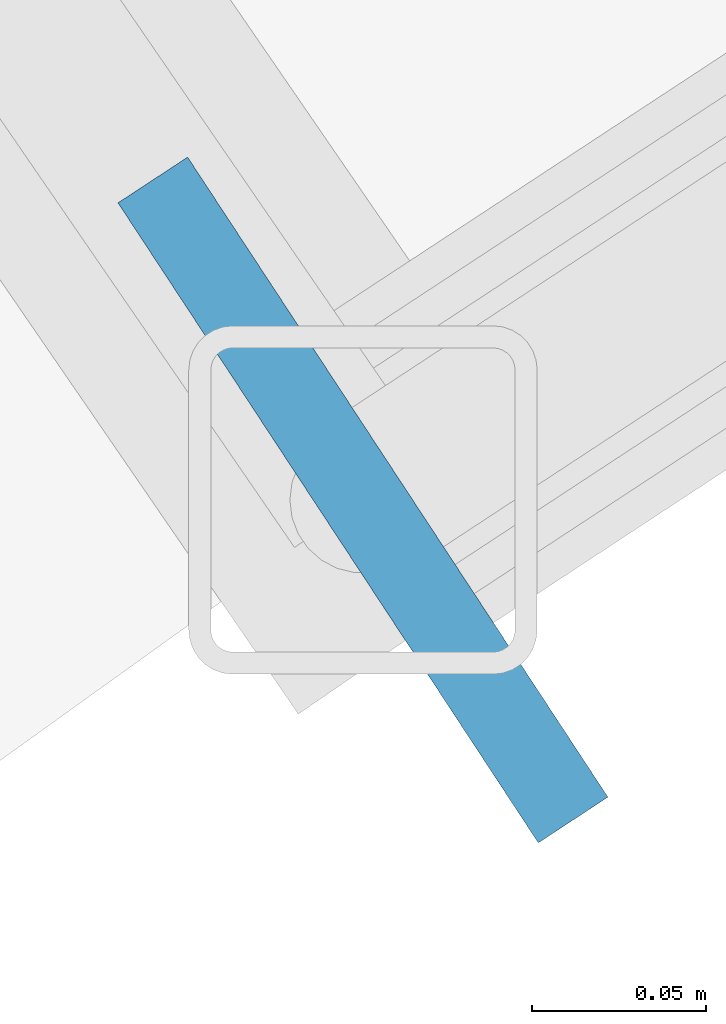
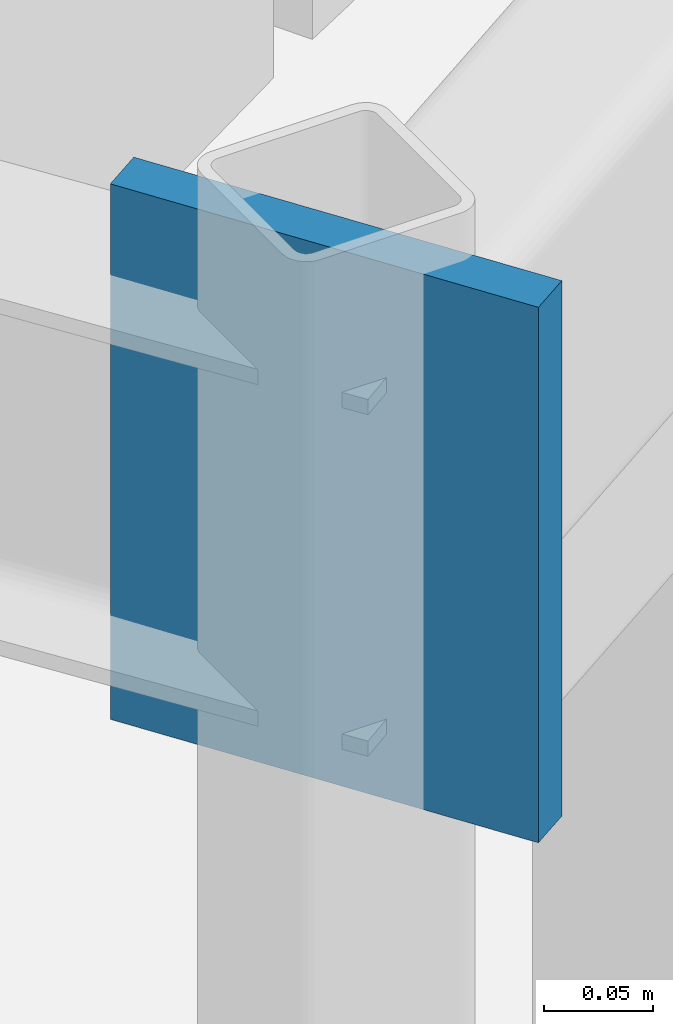
# One storey, part 84 of 137: 1 plate.
"""IFC4 building model written with IfcOpenShell, lengths in metres."""

from ifc_helpers import new_model, si_unit, direction, frame, origin, origin_2d, place, context, subcontext, project, spatial, rectangle, extrude, material, layer, layer_set, type_object, element, save


model = new_model("IFC4")

# Units and contexts
model_context = context("Model", 3, precision=1e-05, world=origin(), true_north=direction((0.0, 1.0)))
body_context = subcontext(model_context, "Body", "Model", "MODEL_VIEW")
ifc_project = project(units=[si_unit("LENGTHUNIT", "METRE"), si_unit("AREAUNIT", "SQUARE_METRE"), si_unit("VOLUMEUNIT", "CUBIC_METRE"), si_unit("PLANEANGLEUNIT", "RADIAN"), si_unit("MASSUNIT", "GRAM", prefix="KILO"), si_unit("POWERUNIT", "WATT"), si_unit("THERMODYNAMICTEMPERATUREUNIT", "KELVIN")], contexts=[model_context])

# Site, building, storey
site_placement = place(None, origin())
site = spatial("IfcSite", under=ifc_project, at=site_placement, CompositionType="ELEMENT")
building_placement = place(site_placement, origin())
building = spatial("IfcBuilding", under=site, at=building_placement, Name="Ruvembo Vaulted Housing Court", CompositionType="ELEMENT")
storey_placement = place(building_placement, frame((0.0, 0.0, 4.5)))
storey = spatial("IfcBuildingStorey", under=building, at=storey_placement, Name="L01", CompositionType="ELEMENT", Elevation=4.5)

# Plate
ifc_material = material(Name="Steel S355J2", Category="steel")
ifc_layer = layer(ifc_material, 0.01611328125, Name="Steel S355J2")
ifc_layer_set = layer_set([ifc_layer], Name="Steel S355J2")
plate_type = type_object("IfcPlateType", Name="PL-NODE-GUSSET-16", PredefinedType="USERDEFINED", material=ifc_layer_set)
plate_placement = place(storey_placement, frame((91.0673828125, 87.751220703125, 2.68994140625), z_axis=(0.0, 0.0, 1.0), x_axis=(0.835845688355, 0.548964466299, 0.0)))
element("IfcPlate", 1, at=plate_placement, inside=storey, type_object=plate_type, Name="Scoop SC3 L01 Hollow Spandrel End Cap Plate 0", ObjectType="GUSSET_PLATE", PredefinedType="USERDEFINED", context=body_context, shape_type="SweptSolid", body=[
    extrude(rectangle(XDim=0.02392578125, YDim=0.219970703125, at=origin_2d()), origin(), (0.0, 0.0, 1.0), 0.300048828125),
])

save(model, "model.ifc")
